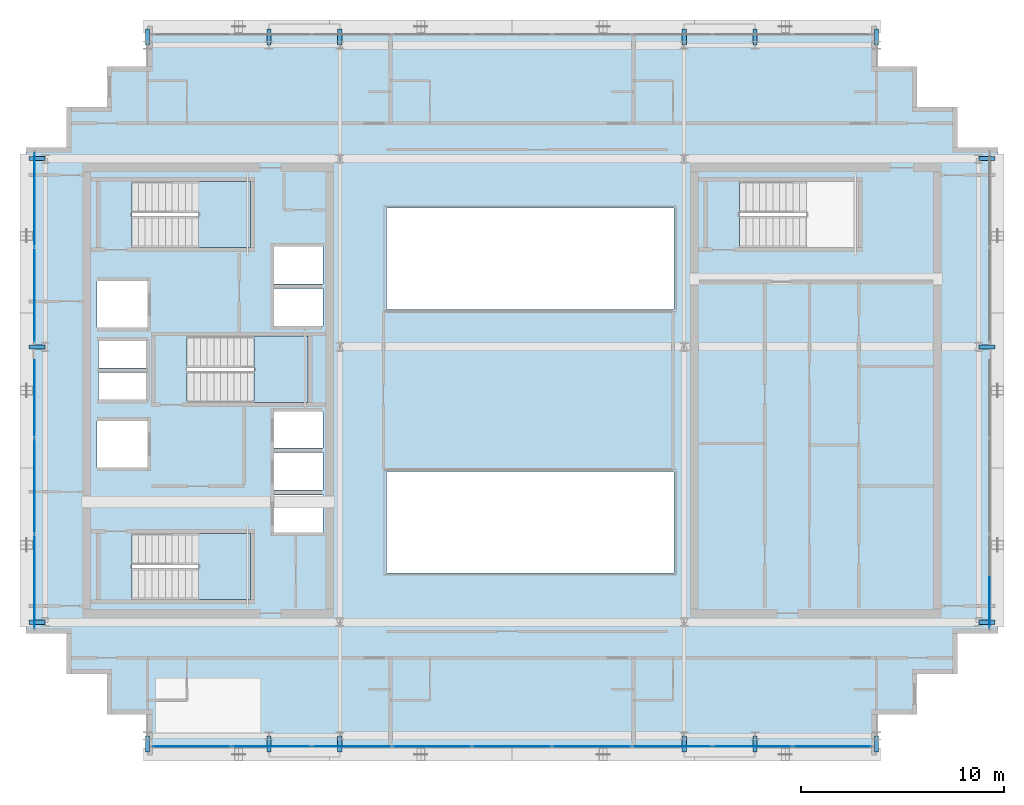
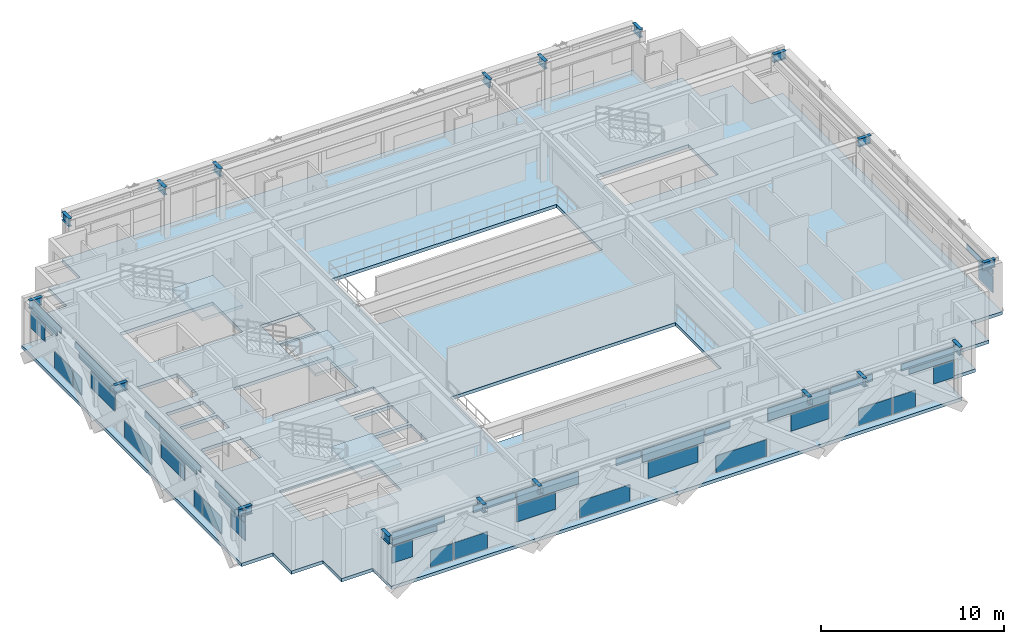
# One storey, part 17 of 28: 42 plates, 18 beams, 4 slabs, 6 elements without a shape of their own.
"""IFC4 building model written with IfcOpenShell, lengths in metres."""

from ifc_helpers import new_model, si_unit, direction, frame, origin, origin_2d, place, context, subcontext, project, spatial, polyline, rectangle, i_section, outline, extrude, source, transform, mapped, material, layer, layer_set, material_profile, profile_set, type_object, element, aggregate, save


model = new_model("IFC4")

# Units and contexts
model_context = context("Model", 3, precision=1e-05, world=origin(), true_north=direction((0.0, 1.0)))
body_context = subcontext(model_context, "Body", "Model", "MODEL_VIEW")
ifc_project = project(units=[si_unit("LENGTHUNIT", "METRE"), si_unit("AREAUNIT", "SQUARE_METRE"), si_unit("VOLUMEUNIT", "CUBIC_METRE"), si_unit("PLANEANGLEUNIT", "RADIAN"), si_unit("MASSUNIT", "GRAM", prefix="KILO")], contexts=[model_context])

# Site, building, storey
site_placement = place(None, origin())
site = spatial("IfcSite", under=ifc_project, at=site_placement, CompositionType="ELEMENT")
building_placement = place(site_placement, origin())
building = spatial("IfcBuilding", under=site, at=building_placement, Name="Ocotamira Hotel", CompositionType="ELEMENT")
storey_placement = place(building_placement, frame((0.0, 0.0, 243.60009765625)))
storey = spatial("IfcBuildingStorey", under=building, at=storey_placement, Name="L61", CompositionType="ELEMENT", Elevation=243.60009765625)

# Beams
ifc_material_1 = material(Name="Steel ASTM A992 Grade 50", Category="steel")
ifc_material_profile = material_profile(ifc_material_1, i_section(OverallWidth=0.2099609375, OverallDepth=0.537109375, WebThickness=0.010986328125, FlangeThickness=0.017333984375, FilletRadius=0.012939453125, at=origin_2d()), Name="W21X68")
ifc_profile_set = profile_set([ifc_material_profile], Name="Steel ASTM A992 Grade 50")
beam_type = type_object("IfcBeamType", Name="BM-SEC-W21X68", PredefinedType="JOIST", material=ifc_profile_set)
shared_shape_1 = source(origin(), body_context, "Body", "SweptSolid", [
    extrude(i_section(OverallWidth=0.2099609375, OverallDepth=0.537109375, WebThickness=0.010986328125, FlangeThickness=0.017333984375, FilletRadius=0.012939453125, at=origin_2d()), origin(), (0.0, 0.0, 1.0), 0.800048828125),
])
for number, where, z_axis, x_axis, name in (
    (1, (14.0, 8.949951171875, 3.011474609375), (0.0, -1.0, 0.0), (1.0, 0.0, 0.0), "L61 South Edge Header X14"),
    (2, (14.0, 43.050048828125, 3.011474609375), (0.0, 1.0, 0.0), (-1.0, 0.0, 0.0), "L61 North Edge Header X14"),
    (3, (20.0, 8.949951171875, 3.011474609375), (0.0, -1.0, 0.0), (1.0, 0.0, 0.0), "L61 South Edge Header X20"),
    (4, (20.0, 43.050048828125, 3.011474609375), (0.0, 1.0, 0.0), (-1.0, 0.0, 0.0), "L61 North Edge Header X20"),
    (5, (23.5, 8.949951171875, 3.011474609375), (0.0, -1.0, 0.0), (1.0, 0.0, 0.0), "L61 South Edge Header X23.5"),
    (6, (23.5, 43.050048828125, 3.011474609375), (0.0, 1.0, 0.0), (-1.0, 0.0, 0.0), "L61 North Edge Header X23.5"),
    (7, (40.5, 8.949951171875, 3.011474609375), (0.0, -1.0, 0.0), (1.0, 0.0, 0.0), "L61 South Edge Header X40.5"),
    (8, (40.5, 43.050048828125, 3.011474609375), (0.0, 1.0, 0.0), (-1.0, 0.0, 0.0), "L61 North Edge Header X40.5"),
    (9, (44.0, 8.949951171875, 3.011474609375), (0.0, -1.0, 0.0), (1.0, 0.0, 0.0), "L61 South Edge Header X44"),
    (10, (44.0, 43.050048828125, 3.011474609375), (0.0, 1.0, 0.0), (-1.0, 0.0, 0.0), "L61 North Edge Header X44"),
    (11, (50.0, 8.949951171875, 3.011474609375), (0.0, -1.0, 0.0), (1.0, 0.0, 0.0), "L61 South Edge Header X50"),
    (12, (50.0, 43.050048828125, 3.011474609375), (0.0, 1.0, 0.0), (-1.0, 0.0, 0.0), "L61 North Edge Header X50"),
    (13, (8.949951171875, 14.550048828125, 3.011474609375), (-1.0, 0.0, 0.0), (0.0, -1.0, 0.0), "L61 West Edge Header Y14.55"),
    (14, (55.050048828125, 14.550048828125, 3.011474609375), (1.0, 0.0, 0.0), (0.0, 1.0, 0.0), "L61 East Edge Header Y14.55"),
    (15, (8.949951171875, 28.14990234375, 3.011474609375), (-1.0, 0.0, 0.0), (0.0, -1.0, 0.0), "L61 West Edge Header Y28.15"),
    (16, (55.050048828125, 28.14990234375, 3.011474609375), (1.0, 0.0, 0.0), (0.0, 1.0, 0.0), "L61 East Edge Header Y28.15"),
    (17, (8.949951171875, 37.449951171875, 3.011474609375), (-1.0, 0.0, 0.0), (0.0, -1.0, 0.0), "L61 West Edge Header Y37.45"),
    (18, (55.050048828125, 37.449951171875, 3.011474609375), (1.0, 0.0, 0.0), (0.0, 1.0, 0.0), "L61 East Edge Header Y37.45"),
):
    element("IfcBeam", number, at=place(storey_placement, frame(where, z_axis=z_axis, x_axis=x_axis)), inside=storey, type_object=beam_type, Name=name, PredefinedType="JOIST", context=body_context, shape_type="MappedRepresentation", body=[
        mapped(shared_shape_1, transform((0.0, 0.0, 0.0), scale=1.0)),
    ])

# Stair, slab
ifc_material_2 = material(Name="Concrete C40/50", Category="concrete")
stair_type = type_object("IfcStairType", Name="ST-CORE-1560", PredefinedType="HALF_TURN_STAIR", material=ifc_material_2)
stair_1_placement = place(storey_placement, origin())
stair_1 = element("IfcStair", 19, at=stair_1_placement, inside=storey, type_object=stair_type, Name="L61 Exit Stair ST-1", PredefinedType="HALF_TURN_STAIR")
ifc_layer_1 = layer(ifc_material_2, 0.199951171875)
ifc_layer_set_1 = layer_set([ifc_layer_1], Name="Concrete C40/50")
slab_type_1 = type_object("IfcSlabType", Name="SLB-LAND-200", PredefinedType="LANDING", material=ifc_layer_set_1)
slab_1_placement = place(storey_placement, frame((0.0, 0.0, 1.599853515625)))
slab_1 = element("IfcSlab", 20, at=slab_1_placement, type_object=slab_type_1, Name="ST-1 landing 1", PredefinedType="LANDING", context=body_context, shape_type="SweptSolid", body=[
    extrude(outline(polyline([(16.530029296875, 15.669921875), (19.090087890625, 15.669921875), (19.090087890625, 18.949951171875), (16.530029296875, 18.949951171875), (16.530029296875, 15.669921875)])), origin(), (0.0, 0.0, 1.0), 0.199951171875),
])
aggregate(stair_1, [slab_1])

stair_2_placement = place(storey_placement, origin())
stair_2 = element("IfcStair", 21, at=stair_2_placement, inside=storey, type_object=stair_type, Name="L61 Exit Stair ST-2", PredefinedType="HALF_TURN_STAIR")
slab_2_placement = place(storey_placement, frame((0.0, 0.0, 1.599853515625)))
slab_2 = element("IfcSlab", 22, at=slab_2_placement, type_object=slab_type_1, Name="ST-2 landing 1", PredefinedType="LANDING", context=body_context, shape_type="SweptSolid", body=[
    extrude(outline(polyline([(16.530029296875, 33.050048828125), (19.090087890625, 33.050048828125), (19.090087890625, 36.330078125), (16.530029296875, 36.330078125), (16.530029296875, 33.050048828125)])), origin(), (0.0, 0.0, 1.0), 0.199951171875),
])
aggregate(stair_2, [slab_2])

stair_3_placement = place(storey_placement, origin())
stair_3 = element("IfcStair", 23, at=stair_3_placement, inside=storey, type_object=stair_type, Name="L61 Exit Stair ST-3", PredefinedType="HALF_TURN_STAIR")
slab_3_placement = place(storey_placement, frame((0.0, 0.0, 1.599853515625)))
slab_3 = element("IfcSlab", 24, at=slab_3_placement, type_object=slab_type_1, Name="ST-3 landing 1", PredefinedType="LANDING", context=body_context, shape_type="SweptSolid", body=[
    extrude(outline(polyline([(19.260009765625, 25.39990234375), (21.919921875, 25.39990234375), (21.919921875, 28.679931640625), (19.260009765625, 28.679931640625), (19.260009765625, 25.39990234375)])), origin(), (0.0, 0.0, 1.0), 0.199951171875),
])
aggregate(stair_3, [slab_3])

# Slab
ifc_layer_2 = layer(ifc_material_2, 0.219970703125)
ifc_layer_set_2 = layer_set([ifc_layer_2], Name="Concrete C40/50")
slab_type_2 = type_object("IfcSlabType", Name="SLB-UPP-220", PredefinedType="FLOOR", material=ifc_layer_set_2)
slab_4_placement = place(storey_placement, frame((0.0, 0.0, -0.22021484375)))
element("IfcSlab", 25, at=slab_4_placement, inside=storey, type_object=slab_type_2, Name="L61 Structural Floor Slab", PredefinedType="FLOOR", context=body_context, shape_type="SweptSolid", body=[
    extrude(outline(polyline([(14.0, 8.0), (50.0, 8.0), (50.0, 10.0), (52.0, 10.0), (52.0, 12.0), (54.0, 12.0), (54.0, 14.0), (56.0, 14.0), (56.0, 38.0), (54.0, 38.0), (54.0, 40.0), (52.0, 40.0), (52.0, 42.0), (50.0, 42.0), (50.0, 44.0), (14.0, 44.0), (14.0, 42.0), (12.0, 42.0), (12.0, 40.0), (10.0, 40.0), (10.0, 38.0), (8.0, 38.0), (8.0, 14.0), (10.0, 14.0), (10.0, 12.0), (12.0, 12.0), (12.0, 10.0), (14.0, 10.0), (14.0, 8.0)]), holes=[polyline([(25.800048828125, 17.0), (40.0, 17.0), (40.0, 22.0), (25.800048828125, 22.0), (25.800048828125, 17.0)]), polyline([(25.800048828125, 30.0), (40.0, 30.0), (40.0, 35.0), (25.800048828125, 35.0), (25.800048828125, 30.0)]), polyline([(13.22998046875, 15.669921875), (19.090087890625, 15.669921875), (19.090087890625, 18.949951171875), (13.22998046875, 18.949951171875), (13.22998046875, 15.669921875)]), polyline([(13.22998046875, 33.050048828125), (19.090087890625, 33.050048828125), (19.090087890625, 36.330078125), (13.22998046875, 36.330078125), (13.22998046875, 33.050048828125)]), polyline([(15.9599609375, 25.39990234375), (21.919921875, 25.39990234375), (21.919921875, 28.679931640625), (15.9599609375, 28.679931640625), (15.9599609375, 25.39990234375)]), polyline([(43.22998046875, 33.050048828125), (49.090087890625, 33.050048828125), (49.090087890625, 36.330078125), (43.22998046875, 36.330078125), (43.22998046875, 33.050048828125)]), polyline([(20.25, 19.0), (22.659912109375, 19.0), (22.659912109375, 20.85009765625), (20.25, 20.85009765625), (20.25, 19.0)]), polyline([(20.25, 21.080078125), (22.659912109375, 21.080078125), (22.659912109375, 22.929931640625), (20.25, 22.929931640625), (20.25, 21.080078125)]), polyline([(20.25, 23.159912109375), (22.659912109375, 23.159912109375), (22.659912109375, 24.9599609375), (20.25, 24.9599609375), (20.25, 23.159912109375)]), polyline([(20.25, 29.179931640625), (22.659912109375, 29.179931640625), (22.659912109375, 31.030029296875), (20.25, 31.030029296875), (20.25, 29.179931640625)]), polyline([(20.25, 31.260009765625), (22.659912109375, 31.260009765625), (22.659912109375, 33.110107421875), (20.25, 33.110107421875), (20.25, 31.260009765625)]), polyline([(11.5, 22.199951171875), (14.0, 22.199951171875), (14.0, 24.5), (11.5, 24.5), (11.5, 22.199951171875)]), polyline([(11.5, 29.10009765625), (14.0, 29.10009765625), (14.0, 31.39990234375), (11.5, 31.39990234375), (11.5, 29.10009765625)]), polyline([(11.580078125, 25.550048828125), (13.919921875, 25.550048828125), (13.919921875, 26.89990234375), (11.580078125, 26.89990234375), (11.580078125, 25.550048828125)]), polyline([(11.580078125, 27.10009765625), (13.919921875, 27.10009765625), (13.919921875, 28.449951171875), (11.580078125, 28.449951171875), (11.580078125, 27.10009765625)])]), origin(), (0.0, 0.0, 1.0), 0.22021484375),
])

# Curtain wall, plates
ifc_material_3 = material(Name="Anodised pale-metal aluminium and solar glass", Category="aluminium")
ifc_layer_3 = layer(ifc_material_3, 0.239990234375)
ifc_layer_set_3 = layer_set([ifc_layer_3], Name="Anodised pale-metal aluminium and solar glass")
curtain_wall_type = type_object("IfcCurtainWallType", Name="CW-SYS5-SKY", PredefinedType="NOTDEFINED", material=ifc_layer_set_3)
curtain_wall_1_placement = place(storey_placement, origin())
curtain_wall_1 = element("IfcCurtainWall", 26, at=curtain_wall_1_placement, inside=storey, type_object=curtain_wall_type, Name="L61 Curtain Wall CW-5 CW-L61-S1", PredefinedType="NOTDEFINED")
ifc_material_4 = material(Name="Double-silver low-E insulated solar glass", Category="glass")
ifc_layer_4 = layer(ifc_material_4, 0.031982421875)
ifc_layer_set_4 = layer_set([ifc_layer_4], Name="Double-silver low-E insulated solar glass")
plate_type = type_object("IfcPlateType", Name="CWP-VISION-32", PredefinedType="CURTAIN_PANEL", material=ifc_layer_set_4)
shared_shape_2 = source(origin(), body_context, "Body", "SweptSolid", [
    extrude(rectangle(XDim=3.87548828125, YDim=0.031982421875, at=origin_2d()), origin(), (0.0, 0.0, 1.0), 0.8173828125),
])
plate_1_placement = place(storey_placement, frame((24.0888671875, 8.419921875, 2.387451171875), z_axis=(0.0, 0.0, 1.0), x_axis=(1.0, 0.0, 0.0)))
plate_1 = element("IfcPlate", 27, at=plate_1_placement, type_object=plate_type, Name="CW-5 panel 3.2", PredefinedType="CURTAIN_PANEL", context=body_context, shape_type="MappedRepresentation", body=[
    mapped(shared_shape_2, transform((0.0, 0.0, 0.0), scale=1.0)),
])
plate_2_placement = place(storey_placement, frame((32.0, 8.419921875, 2.387451171875), z_axis=(0.0, 0.0, 1.0), x_axis=(1.0, 0.0, 0.0)))
plate_2 = element("IfcPlate", 28, at=plate_2_placement, type_object=plate_type, Name="CW-5 panel 5.2", PredefinedType="CURTAIN_PANEL", context=body_context, shape_type="MappedRepresentation", body=[
    mapped(shared_shape_2, transform((0.0, 0.0, 0.0), scale=1.0)),
])
plate_3_placement = place(storey_placement, frame((39.9111328125, 8.419921875, 2.387451171875), z_axis=(0.0, 0.0, 1.0), x_axis=(1.0, 0.0, 0.0)))
plate_3 = element("IfcPlate", 29, at=plate_3_placement, type_object=plate_type, Name="CW-5 panel 7.2", PredefinedType="CURTAIN_PANEL", context=body_context, shape_type="MappedRepresentation", body=[
    mapped(shared_shape_2, transform((0.0, 0.0, 0.0), scale=1.0)),
])
shared_shape_3 = source(origin(), body_context, "Body", "SweptSolid", [
    extrude(rectangle(XDim=1.2890625, YDim=0.031982421875, at=origin_2d()), origin(), (0.0, 0.0, 1.0), 1.118896484375),
])
plate_4_placement = place(storey_placement, frame((14.924560546875, 8.419921875, 1.193359375), z_axis=(0.0, 0.0, 1.0), x_axis=(1.0, 0.0, 0.0)))
plate_4 = element("IfcPlate", 30, at=plate_4_placement, type_object=plate_type, Name="CW-5 panel 1.1.1", PredefinedType="CURTAIN_PANEL", context=body_context, shape_type="MappedRepresentation", body=[
    mapped(shared_shape_3, transform((0.0, 0.0, 0.0), scale=1.0)),
])
plate_5_placement = place(storey_placement, frame((49.075439453125, 8.419921875, 1.193359375), z_axis=(0.0, 0.0, 1.0), x_axis=(1.0, 0.0, 0.0)))
plate_5 = element("IfcPlate", 31, at=plate_5_placement, type_object=plate_type, Name="CW-5 panel 9.1.2", PredefinedType="CURTAIN_PANEL", context=body_context, shape_type="MappedRepresentation", body=[
    mapped(shared_shape_3, transform((0.0, 0.0, 0.0), scale=1.0)),
])
shared_shape_4 = source(origin(), body_context, "Body", "SweptSolid", [
    extrude(rectangle(XDim=1.406494140625, YDim=0.031982421875, at=origin_2d()), origin(), (0.0, 0.0, 1.0), 1.11865234375),
])
plate_6_placement = place(storey_placement, frame((17.412353515625, 8.419921875, 0.074951171875), z_axis=(0.0, 0.0, 1.0), x_axis=(1.0, 0.0, 0.0)))
plate_6 = element("IfcPlate", 32, at=plate_6_placement, type_object=plate_type, Name="CW-5 panel 1.1.2", PredefinedType="CURTAIN_PANEL", context=body_context, shape_type="MappedRepresentation", body=[
    mapped(shared_shape_4, transform((0.0, 0.0, 0.0), scale=1.0)),
])
plate_7_placement = place(storey_placement, frame((46.587646484375, 8.419921875, 0.074951171875), z_axis=(0.0, 0.0, 1.0), x_axis=(1.0, 0.0, 0.0)))
plate_7 = element("IfcPlate", 33, at=plate_7_placement, type_object=plate_type, Name="CW-5 panel 9.1.1", PredefinedType="CURTAIN_PANEL", context=body_context, shape_type="MappedRepresentation", body=[
    mapped(shared_shape_4, transform((0.0, 0.0, 0.0), scale=1.0)),
])
shared_shape_5 = source(origin(), body_context, "Body", "SweptSolid", [
    extrude(rectangle(XDim=2.82373046875, YDim=0.031982421875, at=origin_2d()), origin(), (0.0, 0.0, 1.0), 0.356201171875),
])
plate_8_placement = place(storey_placement, frame((15.69189453125, 8.419921875, 2.38720703125), z_axis=(0.0, 0.0, 1.0), x_axis=(1.0, 0.0, 0.0)))
plate_8 = element("IfcPlate", 34, at=plate_8_placement, type_object=plate_type, Name="CW-5 panel 1.2.1", PredefinedType="CURTAIN_PANEL", context=body_context, shape_type="MappedRepresentation", body=[
    mapped(shared_shape_5, transform((0.0, 0.0, 0.0), scale=1.0)),
])
plate_9_placement = place(storey_placement, frame((48.30810546875, 8.419921875, 2.38720703125), z_axis=(0.0, 0.0, 1.0), x_axis=(1.0, 0.0, 0.0)))
plate_9 = element("IfcPlate", 35, at=plate_9_placement, type_object=plate_type, Name="CW-5 panel 9.2.2", PredefinedType="CURTAIN_PANEL", context=body_context, shape_type="MappedRepresentation", body=[
    mapped(shared_shape_5, transform((0.0, 0.0, 0.0), scale=1.0)),
])
shared_shape_6 = source(origin(), body_context, "Body", "SweptSolid", [
    extrude(rectangle(XDim=3.314453125, YDim=0.031982421875, at=origin_2d()), origin(), (0.0, 0.0, 1.0), 0.435791015625),
])
plate_10_placement = place(storey_placement, frame((15.937255859375, 8.419921875, 2.76904296875), z_axis=(0.0, 0.0, 1.0), x_axis=(1.0, 0.0, 0.0)))
plate_10 = element("IfcPlate", 36, at=plate_10_placement, type_object=plate_type, Name="CW-5 panel 1.2.2", PredefinedType="CURTAIN_PANEL", context=body_context, shape_type="MappedRepresentation", body=[
    mapped(shared_shape_6, transform((0.0, 0.0, 0.0), scale=1.0)),
])
plate_11_placement = place(storey_placement, frame((48.062744140625, 8.419921875, 2.76904296875), z_axis=(0.0, 0.0, 1.0), x_axis=(1.0, 0.0, 0.0)))
plate_11 = element("IfcPlate", 37, at=plate_11_placement, type_object=plate_type, Name="CW-5 panel 9.2.1", PredefinedType="CURTAIN_PANEL", context=body_context, shape_type="MappedRepresentation", body=[
    mapped(shared_shape_6, transform((0.0, 0.0, 0.0), scale=1.0)),
])
shared_shape_7 = source(origin(), body_context, "Body", "SweptSolid", [
    extrude(rectangle(XDim=2.09521484375, YDim=0.031982421875, at=origin_2d()), origin(), (0.0, 0.0, 1.0), 1.11865234375),
])
plate_12_placement = place(storey_placement, frame((19.2431640625, 8.419921875, 0.074951171875), z_axis=(0.0, 0.0, 1.0), x_axis=(1.0, 0.0, 0.0)))
plate_12 = element("IfcPlate", 38, at=plate_12_placement, type_object=plate_type, Name="CW-5 panel 2.1.1", PredefinedType="CURTAIN_PANEL", context=body_context, shape_type="MappedRepresentation", body=[
    mapped(shared_shape_7, transform((0.0, 0.0, 0.0), scale=1.0)),
])
plate_13_placement = place(storey_placement, frame((44.7568359375, 8.419921875, 0.074951171875), z_axis=(0.0, 0.0, 1.0), x_axis=(1.0, 0.0, 0.0)))
plate_13 = element("IfcPlate", 39, at=plate_13_placement, type_object=plate_type, Name="CW-5 panel 8.1.1", PredefinedType="CURTAIN_PANEL", context=body_context, shape_type="MappedRepresentation", body=[
    mapped(shared_shape_7, transform((0.0, 0.0, 0.0), scale=1.0)),
])
shared_shape_8 = source(origin(), body_context, "Body", "SweptSolid", [
    extrude(rectangle(XDim=2.66552734375, YDim=0.031982421875, at=origin_2d()), origin(), (0.0, 0.0, 1.0), 0.435791015625),
])
plate_14_placement = place(storey_placement, frame((20.73828125, 8.419921875, 2.76904296875), z_axis=(0.0, 0.0, 1.0), x_axis=(1.0, 0.0, 0.0)))
plate_14 = element("IfcPlate", 40, at=plate_14_placement, type_object=plate_type, Name="CW-5 panel 2.2.1", PredefinedType="CURTAIN_PANEL", context=body_context, shape_type="MappedRepresentation", body=[
    mapped(shared_shape_8, transform((0.0, 0.0, 0.0), scale=1.0)),
])
plate_15_placement = place(storey_placement, frame((43.26171875, 8.419921875, 2.76904296875), z_axis=(0.0, 0.0, 1.0), x_axis=(1.0, 0.0, 0.0)))
plate_15 = element("IfcPlate", 41, at=plate_15_placement, type_object=plate_type, Name="CW-5 panel 8.2.1", PredefinedType="CURTAIN_PANEL", context=body_context, shape_type="MappedRepresentation", body=[
    mapped(shared_shape_8, transform((0.0, 0.0, 0.0), scale=1.0)),
])
shared_shape_9 = source(origin(), body_context, "Body", "SweptSolid", [
    extrude(rectangle(XDim=2.41796875, YDim=0.031982421875, at=origin_2d()), origin(), (0.0, 0.0, 1.0), 1.118896484375),
])
plate_16_placement = place(storey_placement, frame((23.360107421875, 8.419921875, 1.193359375), z_axis=(0.0, 0.0, 1.0), x_axis=(1.0, 0.0, 0.0)))
plate_16 = element("IfcPlate", 42, at=plate_16_placement, type_object=plate_type, Name="CW-5 panel 3.1.1", PredefinedType="CURTAIN_PANEL", context=body_context, shape_type="MappedRepresentation", body=[
    mapped(shared_shape_9, transform((0.0, 0.0, 0.0), scale=1.0)),
])
plate_17_placement = place(storey_placement, frame((40.639892578125, 8.419921875, 1.193359375), z_axis=(0.0, 0.0, 1.0), x_axis=(1.0, 0.0, 0.0)))
plate_17 = element("IfcPlate", 43, at=plate_17_placement, type_object=plate_type, Name="CW-5 panel 7.1.1", PredefinedType="CURTAIN_PANEL", context=body_context, shape_type="MappedRepresentation", body=[
    mapped(shared_shape_9, transform((0.0, 0.0, 0.0), scale=1.0)),
])
shared_shape_10 = source(origin(), body_context, "Body", "SweptSolid", [
    extrude(rectangle(XDim=3.18408203125, YDim=0.031982421875, at=origin_2d()), origin(), (0.0, 0.0, 1.0), 1.11865234375),
])
plate_18_placement = place(storey_placement, frame((27.69873046875, 8.419921875, 0.074951171875), z_axis=(0.0, 0.0, 1.0), x_axis=(1.0, 0.0, 0.0)))
plate_18 = element("IfcPlate", 44, at=plate_18_placement, type_object=plate_type, Name="CW-5 panel 4.1.1", PredefinedType="CURTAIN_PANEL", context=body_context, shape_type="MappedRepresentation", body=[
    mapped(shared_shape_10, transform((0.0, 0.0, 0.0), scale=1.0)),
])
plate_19_placement = place(storey_placement, frame((36.30126953125, 8.419921875, 0.074951171875), z_axis=(0.0, 0.0, 1.0), x_axis=(1.0, 0.0, 0.0)))
plate_19 = element("IfcPlate", 45, at=plate_19_placement, type_object=plate_type, Name="CW-5 panel 6.1.1", PredefinedType="CURTAIN_PANEL", context=body_context, shape_type="MappedRepresentation", body=[
    mapped(shared_shape_10, transform((0.0, 0.0, 0.0), scale=1.0)),
])
shared_shape_11 = source(origin(), body_context, "Body", "SweptSolid", [
    extrude(rectangle(XDim=1.57666015625, YDim=0.031982421875, at=origin_2d()), origin(), (0.0, 0.0, 1.0), 0.435791015625),
])
plate_20_placement = place(storey_placement, frame((29.19384765625, 8.419921875, 2.76904296875), z_axis=(0.0, 0.0, 1.0), x_axis=(1.0, 0.0, 0.0)))
plate_20 = element("IfcPlate", 46, at=plate_20_placement, type_object=plate_type, Name="CW-5 panel 4.2.1", PredefinedType="CURTAIN_PANEL", context=body_context, shape_type="MappedRepresentation", body=[
    mapped(shared_shape_11, transform((0.0, 0.0, 0.0), scale=1.0)),
])
plate_21_placement = place(storey_placement, frame((34.80615234375, 8.419921875, 2.76904296875), z_axis=(0.0, 0.0, 1.0), x_axis=(1.0, 0.0, 0.0)))
plate_21 = element("IfcPlate", 47, at=plate_21_placement, type_object=plate_type, Name="CW-5 panel 6.2.1", PredefinedType="CURTAIN_PANEL", context=body_context, shape_type="MappedRepresentation", body=[
    mapped(shared_shape_11, transform((0.0, 0.0, 0.0), scale=1.0)),
])
shared_shape_12 = source(origin(), body_context, "Body", "SweptSolid", [
    extrude(rectangle(XDim=3.137939453125, YDim=0.031982421875, at=origin_2d()), origin(), (0.0, 0.0, 1.0), 1.118896484375),
])
plate_22_placement = place(storey_placement, frame((32.0, 8.419921875, 1.193359375), z_axis=(0.0, 0.0, 1.0), x_axis=(1.0, 0.0, 0.0)))
plate_22 = element("IfcPlate", 48, at=plate_22_placement, type_object=plate_type, Name="CW-5 panel 5.1.1", PredefinedType="CURTAIN_PANEL", context=body_context, shape_type="MappedRepresentation", body=[
    mapped(shared_shape_12, transform((0.0, 0.0, 0.0), scale=1.0)),
])
aggregate(curtain_wall_1, [plate_4, plate_6, plate_8, plate_10, plate_12, plate_14, plate_16, plate_1, plate_18, plate_20, plate_22, plate_2, plate_19, plate_21, plate_17, plate_3, plate_13, plate_15, plate_7, plate_5, plate_11, plate_9])

curtain_wall_2_placement = place(storey_placement, origin())
curtain_wall_2 = element("IfcCurtainWall", 49, at=curtain_wall_2_placement, inside=storey, type_object=curtain_wall_type, Name="L61 Curtain Wall CW-5 CW-L61-W", PredefinedType="NOTDEFINED")
shared_shape_13 = source(origin(), body_context, "Body", "SweptSolid", [
    extrude(rectangle(XDim=1.56640625, YDim=0.031982421875, at=origin_2d()), origin(), (0.0, 0.0, 1.0), 1.118896484375),
])
plate_23_placement = place(storey_placement, frame((8.419921875, 15.063232421875, 1.193359375), z_axis=(0.0, 0.0, 1.0), x_axis=(0.0, 1.0, 0.0)))
plate_23 = element("IfcPlate", 50, at=plate_23_placement, type_object=plate_type, Name="CW-5 panel 1.1.1", PredefinedType="CURTAIN_PANEL", context=body_context, shape_type="MappedRepresentation", body=[
    mapped(shared_shape_13, transform((0.0, 0.0, 0.0), scale=1.0)),
])
plate_24_placement = place(storey_placement, frame((8.419921875, 36.936767578125, 1.193359375), z_axis=(0.0, 0.0, 1.0), x_axis=(0.0, 1.0, 0.0)))
plate_24 = element("IfcPlate", 51, at=plate_24_placement, type_object=plate_type, Name="CW-5 panel 5.1.2", PredefinedType="CURTAIN_PANEL", context=body_context, shape_type="MappedRepresentation", body=[
    mapped(shared_shape_13, transform((0.0, 0.0, 0.0), scale=1.0)),
])

# Curtain wall, plate
curtain_wall_3_placement = place(storey_placement, origin())
curtain_wall_3 = element("IfcCurtainWall", 52, at=curtain_wall_3_placement, inside=storey, type_object=curtain_wall_type, Name="L61 Curtain Wall CW-5 CW-L61-E", PredefinedType="NOTDEFINED")
plate_25_placement = place(storey_placement, frame((55.580078125, 15.063232421875, 1.193359375), z_axis=(0.0, 0.0, 1.0), x_axis=(0.0, 1.0, 0.0)))
plate_25 = element("IfcPlate", 53, at=plate_25_placement, type_object=plate_type, Name="CW-5 panel 1.1.1", PredefinedType="CURTAIN_PANEL", context=body_context, shape_type="MappedRepresentation", body=[
    mapped(shared_shape_13, transform((0.0, 0.0, 0.0), scale=1.0)),
])

# Plate
shared_shape_14 = source(origin(), body_context, "Body", "SweptSolid", [
    extrude(rectangle(XDim=1.997802734375, YDim=0.031982421875, at=origin_2d()), origin(), (0.0, 0.0, 1.0), 1.11865234375),
])
plate_26_placement = place(storey_placement, frame((8.419921875, 17.881103515625, 0.074951171875), z_axis=(0.0, 0.0, 1.0), x_axis=(0.0, 1.0, 0.0)))
plate_26 = element("IfcPlate", 54, at=plate_26_placement, type_object=plate_type, Name="CW-5 panel 1.1.2", PredefinedType="CURTAIN_PANEL", context=body_context, shape_type="MappedRepresentation", body=[
    mapped(shared_shape_14, transform((0.0, 0.0, 0.0), scale=1.0)),
])

plate_27_placement = place(storey_placement, frame((8.419921875, 34.118896484375, 0.074951171875), z_axis=(0.0, 0.0, 1.0), x_axis=(0.0, 1.0, 0.0)))
plate_27 = element("IfcPlate", 55, at=plate_27_placement, type_object=plate_type, Name="CW-5 panel 5.1.1", PredefinedType="CURTAIN_PANEL", context=body_context, shape_type="MappedRepresentation", body=[
    mapped(shared_shape_14, transform((0.0, 0.0, 0.0), scale=1.0)),
])

shared_shape_15 = source(origin(), body_context, "Body", "SweptSolid", [
    extrude(rectangle(XDim=2.8681640625, YDim=0.031982421875, at=origin_2d()), origin(), (0.0, 0.0, 1.0), 0.373779296875),
])
plate_28_placement = place(storey_placement, frame((8.419921875, 15.714111328125, 2.38720703125), z_axis=(0.0, 0.0, 1.0), x_axis=(0.0, 1.0, 0.0)))
plate_28 = element("IfcPlate", 56, at=plate_28_placement, type_object=plate_type, Name="CW-5 panel 1.2.1", PredefinedType="CURTAIN_PANEL", context=body_context, shape_type="MappedRepresentation", body=[
    mapped(shared_shape_15, transform((0.0, 0.0, 0.0), scale=1.0)),
])

plate_29_placement = place(storey_placement, frame((8.419921875, 36.285888671875, 2.38720703125), z_axis=(0.0, 0.0, 1.0), x_axis=(0.0, 1.0, 0.0)))
plate_29 = element("IfcPlate", 57, at=plate_29_placement, type_object=plate_type, Name="CW-5 panel 5.2.2", PredefinedType="CURTAIN_PANEL", context=body_context, shape_type="MappedRepresentation", body=[
    mapped(shared_shape_15, transform((0.0, 0.0, 0.0), scale=1.0)),
])

plate_30_placement = place(storey_placement, frame((55.580078125, 15.714111328125, 2.38720703125), z_axis=(0.0, 0.0, 1.0), x_axis=(0.0, 1.0, 0.0)))
plate_30 = element("IfcPlate", 58, at=plate_30_placement, type_object=plate_type, Name="CW-5 panel 1.2.1", PredefinedType="CURTAIN_PANEL", context=body_context, shape_type="MappedRepresentation", body=[
    mapped(shared_shape_15, transform((0.0, 0.0, 0.0), scale=1.0)),
])

aggregate(curtain_wall_3, [plate_25, plate_30])

shared_shape_16 = source(origin(), body_context, "Body", "SweptSolid", [
    extrude(rectangle(XDim=3.305908203125, YDim=0.031982421875, at=origin_2d()), origin(), (0.0, 0.0, 1.0), 0.416015625),
])
plate_31_placement = place(storey_placement, frame((8.419921875, 15.932861328125, 2.788818359375), z_axis=(0.0, 0.0, 1.0), x_axis=(0.0, 1.0, 0.0)))
plate_31 = element("IfcPlate", 59, at=plate_31_placement, type_object=plate_type, Name="CW-5 panel 1.2.2", PredefinedType="CURTAIN_PANEL", context=body_context, shape_type="MappedRepresentation", body=[
    mapped(shared_shape_16, transform((0.0, 0.0, 0.0), scale=1.0)),
])

plate_32_placement = place(storey_placement, frame((8.419921875, 36.067138671875, 2.788818359375), z_axis=(0.0, 0.0, 1.0), x_axis=(0.0, 1.0, 0.0)))
plate_32 = element("IfcPlate", 60, at=plate_32_placement, type_object=plate_type, Name="CW-5 panel 5.2.1", PredefinedType="CURTAIN_PANEL", context=body_context, shape_type="MappedRepresentation", body=[
    mapped(shared_shape_16, transform((0.0, 0.0, 0.0), scale=1.0)),
])

shared_shape_17 = source(origin(), body_context, "Body", "SweptSolid", [
    extrude(rectangle(XDim=0.89111328125, YDim=0.031982421875, at=origin_2d()), origin(), (0.0, 0.0, 1.0), 1.11865234375),
])
plate_33_placement = place(storey_placement, frame((8.419921875, 19.405517578125, 0.074951171875), z_axis=(0.0, 0.0, 1.0), x_axis=(0.0, 1.0, 0.0)))
plate_33 = element("IfcPlate", 61, at=plate_33_placement, type_object=plate_type, Name="CW-5 panel 2.1.1", PredefinedType="CURTAIN_PANEL", context=body_context, shape_type="MappedRepresentation", body=[
    mapped(shared_shape_17, transform((0.0, 0.0, 0.0), scale=1.0)),
])

plate_34_placement = place(storey_placement, frame((8.419921875, 32.594482421875, 0.074951171875), z_axis=(0.0, 0.0, 1.0), x_axis=(0.0, 1.0, 0.0)))
plate_34 = element("IfcPlate", 62, at=plate_34_placement, type_object=plate_type, Name="CW-5 panel 4.1.2", PredefinedType="CURTAIN_PANEL", context=body_context, shape_type="MappedRepresentation", body=[
    mapped(shared_shape_17, transform((0.0, 0.0, 0.0), scale=1.0)),
])

shared_shape_18 = source(origin(), body_context, "Body", "SweptSolid", [
    extrude(rectangle(XDim=2.593017578125, YDim=0.031982421875, at=origin_2d()), origin(), (0.0, 0.0, 1.0), 1.118896484375),
])
plate_35_placement = place(storey_placement, frame((8.419921875, 22.183349609375, 1.193359375), z_axis=(0.0, 0.0, 1.0), x_axis=(0.0, 1.0, 0.0)))
plate_35 = element("IfcPlate", 63, at=plate_35_placement, type_object=plate_type, Name="CW-5 panel 2.1.2", PredefinedType="CURTAIN_PANEL", context=body_context, shape_type="MappedRepresentation", body=[
    mapped(shared_shape_18, transform((0.0, 0.0, 0.0), scale=1.0)),
])

plate_36_placement = place(storey_placement, frame((8.419921875, 29.816650390625, 1.193359375), z_axis=(0.0, 0.0, 1.0), x_axis=(0.0, 1.0, 0.0)))
plate_36 = element("IfcPlate", 64, at=plate_36_placement, type_object=plate_type, Name="CW-5 panel 4.1.1", PredefinedType="CURTAIN_PANEL", context=body_context, shape_type="MappedRepresentation", body=[
    mapped(shared_shape_18, transform((0.0, 0.0, 0.0), scale=1.0)),
])

shared_shape_19 = source(origin(), body_context, "Body", "SweptSolid", [
    extrude(rectangle(XDim=4.45263671875, YDim=0.031982421875, at=origin_2d()), origin(), (0.0, 0.0, 1.0), 0.416015625),
])
plate_37_placement = place(storey_placement, frame((8.419921875, 21.373779296875, 2.788818359375), z_axis=(0.0, 0.0, 1.0), x_axis=(0.0, 1.0, 0.0)))
plate_37 = element("IfcPlate", 65, at=plate_37_placement, type_object=plate_type, Name="CW-5 panel 2.2.1", PredefinedType="CURTAIN_PANEL", context=body_context, shape_type="MappedRepresentation", body=[
    mapped(shared_shape_19, transform((0.0, 0.0, 0.0), scale=1.0)),
])

plate_38_placement = place(storey_placement, frame((8.419921875, 30.626220703125, 2.788818359375), z_axis=(0.0, 0.0, 1.0), x_axis=(0.0, 1.0, 0.0)))
plate_38 = element("IfcPlate", 66, at=plate_38_placement, type_object=plate_type, Name="CW-5 panel 4.2.2", PredefinedType="CURTAIN_PANEL", context=body_context, shape_type="MappedRepresentation", body=[
    mapped(shared_shape_19, transform((0.0, 0.0, 0.0), scale=1.0)),
])

shared_shape_20 = source(origin(), body_context, "Body", "SweptSolid", [
    extrude(rectangle(XDim=4.014892578125, YDim=0.031982421875, at=origin_2d()), origin(), (0.0, 0.0, 1.0), 0.373779296875),
])
plate_39_placement = place(storey_placement, frame((8.419921875, 21.592529296875, 2.38720703125), z_axis=(0.0, 0.0, 1.0), x_axis=(0.0, 1.0, 0.0)))
plate_39 = element("IfcPlate", 67, at=plate_39_placement, type_object=plate_type, Name="CW-5 panel 2.2.2", PredefinedType="CURTAIN_PANEL", context=body_context, shape_type="MappedRepresentation", body=[
    mapped(shared_shape_20, transform((0.0, 0.0, 0.0), scale=1.0)),
])

plate_40_placement = place(storey_placement, frame((8.419921875, 30.407470703125, 2.38720703125), z_axis=(0.0, 0.0, 1.0), x_axis=(0.0, 1.0, 0.0)))
plate_40 = element("IfcPlate", 68, at=plate_40_placement, type_object=plate_type, Name="CW-5 panel 4.2.1", PredefinedType="CURTAIN_PANEL", context=body_context, shape_type="MappedRepresentation", body=[
    mapped(shared_shape_20, transform((0.0, 0.0, 0.0), scale=1.0)),
])

shared_shape_21 = source(origin(), body_context, "Body", "SweptSolid", [
    extrude(rectangle(XDim=2.968994140625, YDim=0.031982421875, at=origin_2d()), origin(), (0.0, 0.0, 1.0), 1.11865234375),
])
plate_41_placement = place(storey_placement, frame((8.419921875, 26.0, 0.074951171875), z_axis=(0.0, 0.0, 1.0), x_axis=(0.0, 1.0, 0.0)))
plate_41 = element("IfcPlate", 69, at=plate_41_placement, type_object=plate_type, Name="CW-5 panel 3.1.1", PredefinedType="CURTAIN_PANEL", context=body_context, shape_type="MappedRepresentation", body=[
    mapped(shared_shape_21, transform((0.0, 0.0, 0.0), scale=1.0)),
])

shared_shape_22 = source(origin(), body_context, "Body", "SweptSolid", [
    extrude(rectangle(XDim=1.539306640625, YDim=0.031982421875, at=origin_2d()), origin(), (0.0, 0.0, 1.0), 0.416015625),
])
plate_42_placement = place(storey_placement, frame((8.419921875, 24.44970703125, 2.788818359375), z_axis=(0.0, 0.0, 1.0), x_axis=(0.0, 1.0, 0.0)))
plate_42 = element("IfcPlate", 70, at=plate_42_placement, type_object=plate_type, Name="CW-5 panel 3.2.1", PredefinedType="CURTAIN_PANEL", context=body_context, shape_type="MappedRepresentation", body=[
    mapped(shared_shape_22, transform((0.0, 0.0, 0.0), scale=1.0)),
])

aggregate(curtain_wall_2, [plate_23, plate_26, plate_28, plate_31, plate_33, plate_35, plate_37, plate_39, plate_41, plate_42, plate_36, plate_34, plate_40, plate_38, plate_27, plate_24, plate_32, plate_29])

save(model, "model.ifc")
